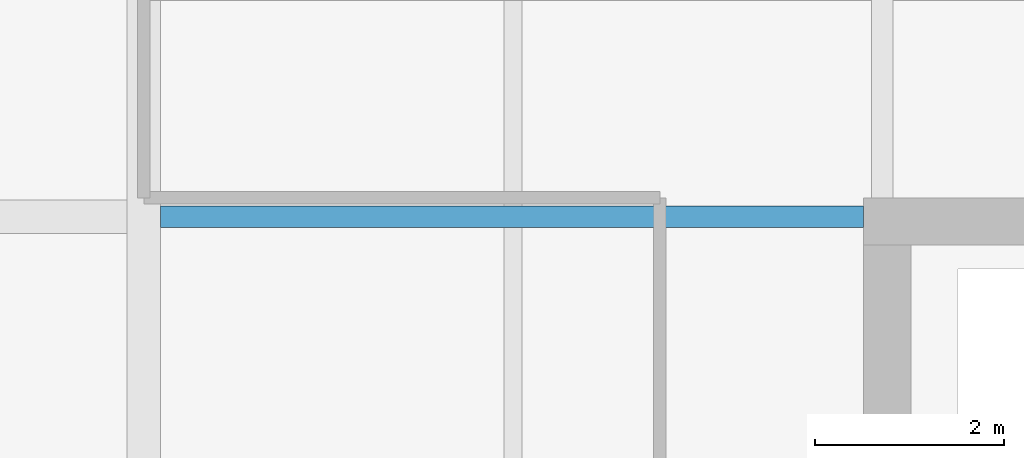
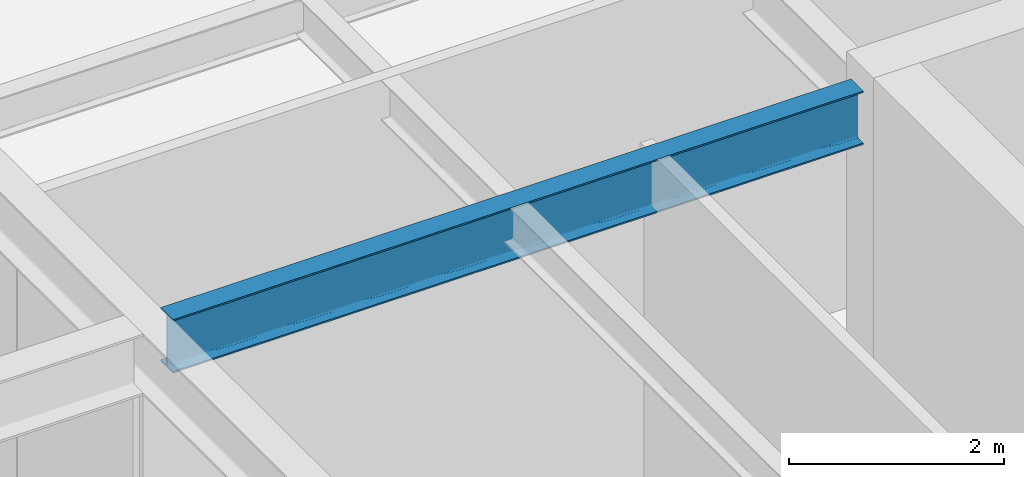
# One storey, part 18 of 32: 1 beam.
"""IFC4 building model written with IfcOpenShell, lengths in metres."""

from ifc_helpers import new_model, si_unit, direction, frame, origin, origin_2d, place, context, subcontext, project, spatial, i_section, extrude, material, material_profile, profile_set, type_object, element, save


model = new_model("IFC4")

# Units and contexts
model_context = context("Model", 3, precision=1e-05, world=origin(), true_north=direction((0.0, 1.0)))
body_context = subcontext(model_context, "Body", "Model", "MODEL_VIEW")
ifc_project = project(units=[si_unit("LENGTHUNIT", "METRE"), si_unit("AREAUNIT", "SQUARE_METRE"), si_unit("VOLUMEUNIT", "CUBIC_METRE"), si_unit("PLANEANGLEUNIT", "RADIAN"), si_unit("MASSUNIT", "GRAM", prefix="KILO")], contexts=[model_context])

# Site, building, storey
site_placement = place(None, origin())
site = spatial("IfcSite", under=ifc_project, at=site_placement, CompositionType="ELEMENT")
building_placement = place(site_placement, origin())
building = spatial("IfcBuilding", under=site, at=building_placement, Name="Drelvath Grand Hotel", CompositionType="ELEMENT")
storey_placement = place(building_placement, frame((0.0, 0.0, 145.800048828125)))
storey = spatial("IfcBuildingStorey", under=building, at=storey_placement, Name="L37", CompositionType="ELEMENT", Elevation=145.800048828125)

# Beam
ifc_material = material(Name="Steel ASTM A992 Gr 50", Category="steel")
ifc_material_profile = material_profile(ifc_material, i_section(OverallWidth=0.228271484375, OverallDepth=0.607666015625, WebThickness=0.01123046875, FlangeThickness=0.017333984375, FilletRadius=0.02001953125, at=origin_2d()), Name="W24X76")
ifc_profile_set = profile_set([ifc_material_profile], Name="Steel ASTM A992 Gr 50")
beam_type = type_object("IfcBeamType", Name="Primary Floor Girder W24X76", PredefinedType="BEAM", material=ifc_profile_set)
beam_placement = place(storey_placement, frame((-16.022705078125, 35.39990234375, 4.0361328125), z_axis=(1.0, 0.0, 0.0), x_axis=(0.0, 1.0, 0.0)))
element("IfcBeam", 1, at=beam_placement, inside=storey, type_object=beam_type, Name="L37 West Core Tie F", PredefinedType="BEAM", context=body_context, shape_type="SweptSolid", body=[
    extrude(i_section(OverallWidth=0.228271484375, OverallDepth=0.607666015625, WebThickness=0.01123046875, FlangeThickness=0.017333984375, FilletRadius=0.02001953125, at=origin_2d()), origin(), (0.0, 0.0, 1.0), 7.422607421875),
])

save(model, "model.ifc")
